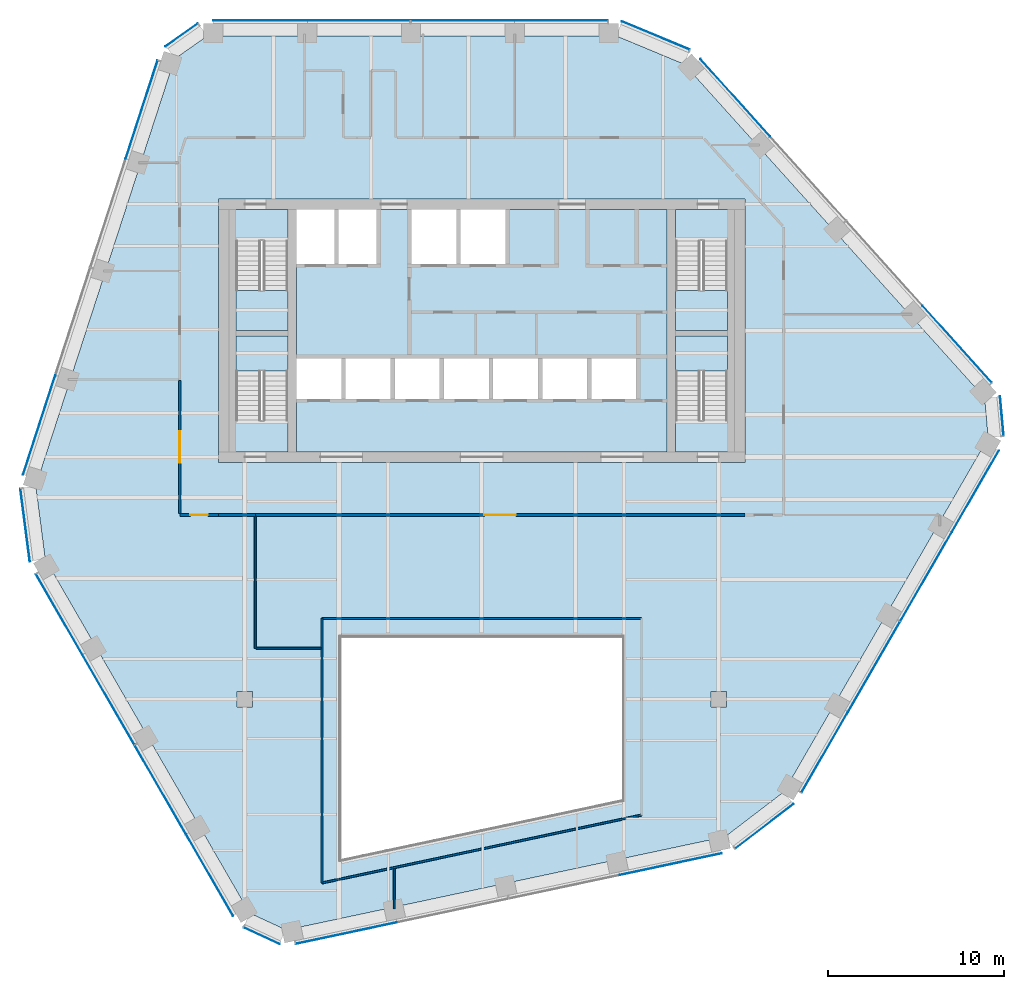
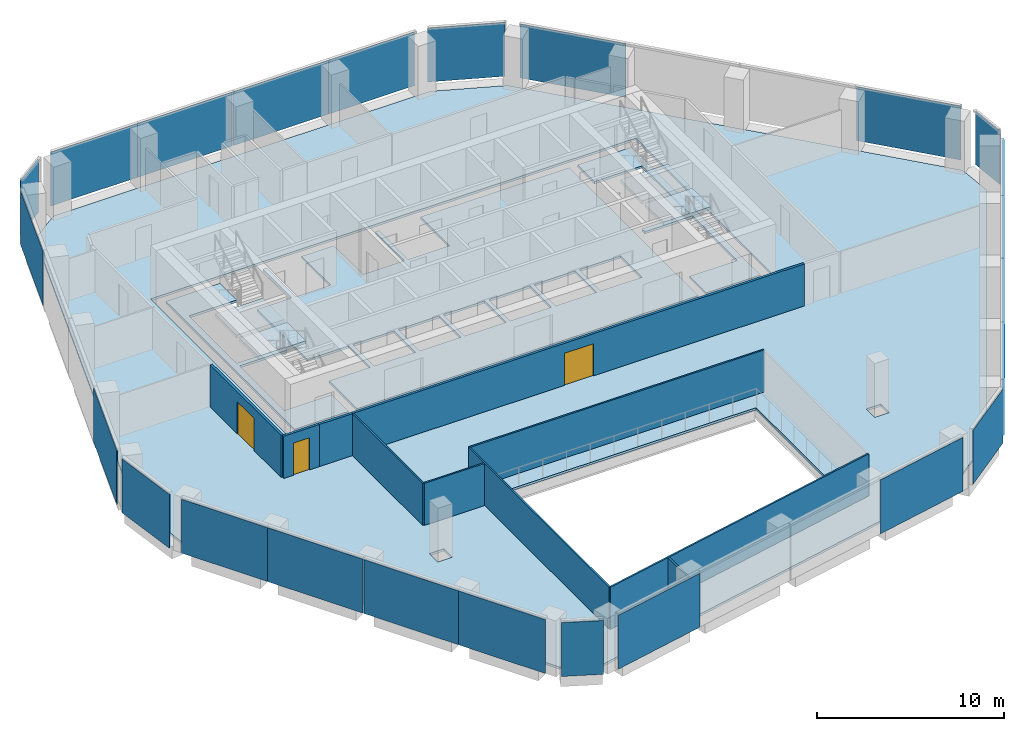
# One storey, part 8 of 15: 24 plates, 10 walls, 8 slabs, 3 doors, 3 openings, 16 elements without a shape of their own.
"""IFC4 building model written with IfcOpenShell, lengths in metres."""

from ifc_helpers import new_model, si_unit, direction, frame, frame_2d, origin, origin_2d, place, context, subcontext, project, spatial, polyline, rectangle, outline, extrude, material, layer, layer_set, type_object, element, fill, aggregate, save


model = new_model("IFC4")

# Units and contexts
model_context = context("Model", 3, precision=1e-05, world=origin(), true_north=direction((0.0, 1.0)))
body_context = subcontext(model_context, "Body", "Model", "MODEL_VIEW")
ifc_project = project(units=[si_unit("LENGTHUNIT", "METRE"), si_unit("AREAUNIT", "SQUARE_METRE"), si_unit("VOLUMEUNIT", "CUBIC_METRE"), si_unit("PLANEANGLEUNIT", "RADIAN"), si_unit("MASSUNIT", "GRAM", prefix="KILO")], contexts=[model_context])

# Site, building, storey
site_placement = place(None, origin())
site = spatial("IfcSite", under=ifc_project, at=site_placement, CompositionType="ELEMENT")
building_placement = place(site_placement, origin())
building = spatial("IfcBuilding", under=site, at=building_placement, Name="Isthmus Gate Tower", CompositionType="ELEMENT")
storey_placement = place(building_placement, frame((0.0, 0.0, 230.89990234375)))
storey = spatial("IfcBuildingStorey", under=building, at=storey_placement, Name="L58", CompositionType="ELEMENT", Elevation=230.89990234375)

# Slabs
ifc_material_1 = material(Name="Concrete f'c 40 MPa", Category="concrete")
ifc_layer_1 = layer(ifc_material_1, 0.14990234375)
ifc_layer_set_1 = layer_set([ifc_layer_1], Name="COMPOSITE FLOOR SLAB 150")
slab_type_1 = type_object("IfcSlabType", Name="COMPOSITE FLOOR SLAB 150", PredefinedType="FLOOR", material=ifc_layer_set_1)
slab_1_placement = place(storey_placement, frame((0.0, 0.0, -0.14990234375)))
element("IfcSlab", 1, at=slab_1_placement, inside=storey, type_object=slab_type_1, Name="str-slab-L58-1", PredefinedType="FLOOR", context=body_context, shape_type="SweptSolid", body=[
    extrude(outline(polyline([(11.539794921875, 22.68310546875), (28.65380859375, 3.67626953125), (28.859375, 1.3857421875), (17.21875, -18.7763671875), (13.874267578125, -21.335205078125), (-11.143310546875, -26.65283203125), (-13.2294921875, -25.685791015625), (-24.8701171875, -5.523681640625), (-25.4140625, -1.347900390625), (-17.510498046875, 22.976806640625), (-15.629638671875, 24.300048828125), (7.6513671875, 24.300048828125), (11.539794921875, 22.68310546875)]), holes=[polyline([(-8.0, -10.0), (-8.0, -22.611083984375), (8.0, -19.210205078125), (8.0, -10.0), (-8.0, -10.0)]), polyline([(-13.949951171875, -13.050048828125), (-13.949951171875, -13.949951171875), (-13.050048828125, -13.949951171875), (-13.050048828125, -13.050048828125), (-13.949951171875, -13.050048828125)]), polyline([(13.050048828125, -13.050048828125), (13.050048828125, -13.949951171875), (13.949951171875, -13.949951171875), (13.949951171875, -13.050048828125), (13.050048828125, -13.050048828125)]), polyline([(-15.0, 0.0), (15.0, 0.0), (15.0, 15.0), (-15.0, 15.0), (-15.0, 0.0)])]), origin(), (0.0, 0.0, 1.0), 0.14990234375),
])
ifc_material_2 = material(Name="Concrete f'c 40 MPa", Category="concrete")
ifc_layer_2 = layer(ifc_material_2, 0.14990234375)
ifc_layer_set_2 = layer_set([ifc_layer_2], Name="CORE FLOOR SLAB 150")
slab_type_2 = type_object("IfcSlabType", Name="CORE FLOOR SLAB 150", PredefinedType="FLOOR", material=ifc_layer_set_2)
slab_2_placement = place(storey_placement, frame((0.0, 0.0, -0.14990234375)))
element("IfcSlab", 2, at=slab_2_placement, inside=storey, type_object=slab_type_2, Name="L58 core floor", PredefinedType="FLOOR", context=body_context, shape_type="SweptSolid", body=[
    extrude(outline(polyline([(-11.050048828125, 0.60009765625), (-11.050048828125, 2.402099609375), (-14.0, 2.402099609375), (-14.0, 7.199951171875), (-11.050048828125, 7.199951171875), (-11.050048828125, 7.5), (-14.0, 7.5), (-14.0, 12.597900390625), (-11.050048828125, 12.597900390625), (-11.050048828125, 14.39990234375), (-14.39990234375, 14.39990234375), (-14.39990234375, 0.60009765625), (-11.050048828125, 0.60009765625)])), origin(), (0.0, 0.0, 1.0), 0.14990234375),
])
slab_3_placement = place(storey_placement, frame((0.0, 0.0, -0.14990234375)))
element("IfcSlab", 3, at=slab_3_placement, inside=storey, type_object=slab_type_2, Name="L58 core floor", PredefinedType="FLOOR", context=body_context, shape_type="SweptSolid", body=[
    extrude(outline(polyline([(10.550048828125, 14.39990234375), (1.35009765625, 14.39990234375), (1.35009765625, 11.300048828125), (-1.199951171875, 11.300048828125), (-1.199951171875, 14.39990234375), (-1.449951171875, 14.39990234375), (-1.449951171875, 11.300048828125), (-4.0, 11.300048828125), (-4.0, 14.39990234375), (-6.0, 14.39990234375), (-6.0, 11.300048828125), (-8.14990234375, 11.300048828125), (-8.14990234375, 14.39990234375), (-8.39990234375, 14.39990234375), (-8.39990234375, 11.300048828125), (-10.550048828125, 11.300048828125), (-10.550048828125, 5.89990234375), (-8.0, 5.89990234375), (-8.0, 3.60009765625), (-10.550048828125, 3.60009765625), (-10.550048828125, 0.60009765625), (10.550048828125, 0.60009765625), (10.550048828125, 14.39990234375)]), holes=[polyline([(-5.199951171875, 5.89990234375), (-5.199951171875, 3.60009765625), (-7.75, 3.60009765625), (-7.75, 5.89990234375), (-5.199951171875, 5.89990234375)]), polyline([(-2.39990234375, 5.89990234375), (-2.39990234375, 3.60009765625), (-4.949951171875, 3.60009765625), (-4.949951171875, 5.89990234375), (-2.39990234375, 5.89990234375)]), polyline([(0.39990234375, 5.89990234375), (0.39990234375, 3.60009765625), (-2.14990234375, 3.60009765625), (-2.14990234375, 5.89990234375), (0.39990234375, 5.89990234375)]), polyline([(3.199951171875, 5.89990234375), (3.199951171875, 3.60009765625), (0.64990234375, 3.60009765625), (0.64990234375, 5.89990234375), (3.199951171875, 5.89990234375)]), polyline([(6.0, 5.89990234375), (6.0, 3.60009765625), (3.449951171875, 3.60009765625), (3.449951171875, 5.89990234375), (6.0, 5.89990234375)]), polyline([(8.800048828125, 5.89990234375), (8.800048828125, 3.60009765625), (6.25, 3.60009765625), (6.25, 5.89990234375), (8.800048828125, 5.89990234375)])]), origin(), (0.0, 0.0, 1.0), 0.14990234375),
])
slab_4_placement = place(storey_placement, frame((0.0, 0.0, -0.14990234375)))
element("IfcSlab", 4, at=slab_4_placement, inside=storey, type_object=slab_type_2, Name="L58 core floor", PredefinedType="FLOOR", context=body_context, shape_type="SweptSolid", body=[
    extrude(outline(polyline([(11.050048828125, 14.39990234375), (11.050048828125, 12.597900390625), (14.0, 12.597900390625), (14.0, 7.5), (11.050048828125, 7.5), (11.050048828125, 7.199951171875), (14.0, 7.199951171875), (14.0, 2.402099609375), (11.050048828125, 2.402099609375), (11.050048828125, 0.60009765625), (14.39990234375, 0.60009765625), (14.39990234375, 14.39990234375), (11.050048828125, 14.39990234375)])), origin(), (0.0, 0.0, 1.0), 0.14990234375),
])

# Curtain wall, plates
ifc_material_3 = material(Name="Aluminium, pale champagne anodised", Category="aluminium")
ifc_layer_3 = layer(ifc_material_3, 0.199951171875)
ifc_layer_set_3 = layer_set([ifc_layer_3], Name="CW-1 UNITISED CURTAIN WALL 200 DEEP")
curtain_wall_type = type_object("IfcCurtainWallType", Name="CW-1 UNITISED CURTAIN WALL 200 DEEP", PredefinedType="NOTDEFINED", material=ifc_layer_set_3)
curtain_wall_1_placement = place(storey_placement, origin())
curtain_wall_1 = element("IfcCurtainWall", 5, at=curtain_wall_1_placement, inside=storey, type_object=curtain_wall_type, Name="CW-1 N L58", PredefinedType="NOTDEFINED")
ifc_material_4 = material(Name="Laminated low-iron glass, pale blue tint", Category="glass")
ifc_layer_4 = layer(ifc_material_4, 0.031982421875)
ifc_layer_set_4 = layer_set([ifc_layer_4], Name="CW-1 CLEAR GLASS LITE 32")
plate_type = type_object("IfcPlateType", Name="CW-1 CLEAR GLASS LITE 32", PredefinedType="CURTAIN_PANEL", material=ifc_layer_set_4)
plate_1_placement = place(storey_placement, frame((4.53076171875, 25.18408203125, 0.0), z_axis=(0.0, 0.0, 1.0), x_axis=(-1.0, 0.0, 0.0)))
plate_1 = element("IfcPlate", 6, at=plate_1_placement, type_object=plate_type, Name="CW-1 glass lite", PredefinedType="CURTAIN_PANEL", context=body_context, shape_type="SweptSolid", body=[
    extrude(rectangle(XDim=5.300537109375, YDim=0.031982421875, at=origin_2d()), origin(), (0.0, 0.0, 1.0), 3.52001953125),
])
plate_2_placement = place(storey_placement, frame((-1.07470703125, 25.18408203125, 0.0), z_axis=(0.0, 0.0, 1.0), x_axis=(-1.0, 0.0, 0.0)))
plate_2 = element("IfcPlate", 7, at=plate_2_placement, type_object=plate_type, Name="CW-1 glass lite", PredefinedType="CURTAIN_PANEL", context=body_context, shape_type="SweptSolid", body=[
    extrude(rectangle(XDim=5.91064453125, YDim=0.031982421875, at=origin_2d()), origin(), (0.0, 0.0, 1.0), 3.52001953125),
])
plate_3_placement = place(storey_placement, frame((-7.015380859375, 25.18408203125, 0.0), z_axis=(0.0, 0.0, 1.0), x_axis=(-1.0, 0.0, 0.0)))
plate_3 = element("IfcPlate", 8, at=plate_3_placement, type_object=plate_type, Name="CW-1 glass lite", PredefinedType="CURTAIN_PANEL", context=body_context, shape_type="SweptSolid", body=[
    extrude(rectangle(XDim=5.8505859375, YDim=0.031982421875, at=origin_2d()), origin(), (0.0, 0.0, 1.0), 3.52001953125),
])
plate_4_placement = place(storey_placement, frame((-12.62109375, 25.18408203125, 0.0), z_axis=(0.0, 0.0, 1.0), x_axis=(-1.0, 0.0, 0.0)))
plate_4 = element("IfcPlate", 9, at=plate_4_placement, type_object=plate_type, Name="CW-1 glass lite", PredefinedType="CURTAIN_PANEL", context=body_context, shape_type="SweptSolid", body=[
    extrude(rectangle(XDim=5.360595703125, YDim=0.031982421875, at=origin_2d()), origin(), (0.0, 0.0, 1.0), 3.52001953125),
])
aggregate(curtain_wall_1, [plate_1, plate_2, plate_3, plate_4])

# Curtain wall, plate
curtain_wall_2_placement = place(storey_placement, origin())
curtain_wall_2 = element("IfcCurtainWall", 10, at=curtain_wall_2_placement, inside=storey, type_object=curtain_wall_type, Name="CW-1 N-NW L58", PredefinedType="NOTDEFINED")
plate_5_placement = place(storey_placement, frame((-17.1025390625, 24.3447265625, 0.0), z_axis=(0.0, 0.0, 1.0), x_axis=(-0.81785959165, -0.57541783805, 0.0)))
plate_5 = element("IfcPlate", 11, at=plate_5_placement, type_object=plate_type, Name="CW-1 glass lite", PredefinedType="CURTAIN_PANEL", context=body_context, shape_type="SweptSolid", body=[
    extrude(rectangle(XDim=2.258544921875, YDim=0.031982421875, at=origin_2d()), origin(), (0.0, 0.0, 1.0), 3.52001953125),
])
aggregate(curtain_wall_2, [plate_5])

# Curtain wall, plates
curtain_wall_3_placement = place(storey_placement, origin())
curtain_wall_3 = element("IfcCurtainWall", 12, at=curtain_wall_3_placement, inside=storey, type_object=curtain_wall_type, Name="CW-1 NW L58", PredefinedType="NOTDEFINED")
plate_6_placement = place(storey_placement, frame((-19.37646484375, 20.0947265625, 0.0), z_axis=(0.0, 0.0, 1.0), x_axis=(-0.309016994375, -0.951056516295, 0.0)))
plate_6 = element("IfcPlate", 13, at=plate_6_placement, type_object=plate_type, Name="CW-1 glass lite", PredefinedType="CURTAIN_PANEL", context=body_context, shape_type="SweptSolid", body=[
    extrude(rectangle(XDim=5.8818359375, YDim=0.031982421875, at=origin_2d()), origin(), (0.0, 0.0, 1.0), 3.52001953125),
])
plate_7_placement = place(storey_placement, frame((-25.215576171875, 2.123779296875, 0.0), z_axis=(0.0, 0.0, 1.0), x_axis=(-0.309016994375, -0.951056516295, 0.0)))
plate_7 = element("IfcPlate", 14, at=plate_7_placement, type_object=plate_type, Name="CW-1 glass lite", PredefinedType="CURTAIN_PANEL", context=body_context, shape_type="SweptSolid", body=[
    extrude(rectangle(XDim=5.94189453125, YDim=0.031982421875, at=origin_2d()), origin(), (0.0, 0.0, 1.0), 3.52001953125),
])
aggregate(curtain_wall_3, [plate_6, plate_7])

# Curtain wall, plate
curtain_wall_4_placement = place(storey_placement, origin())
curtain_wall_4 = element("IfcCurtainWall", 15, at=curtain_wall_4_placement, inside=storey, type_object=curtain_wall_type, Name="CW-1 NW-SW L58", PredefinedType="NOTDEFINED")
plate_8_placement = place(storey_placement, frame((-26.014892578125, -3.57958984375, 0.0), z_axis=(0.0, 0.0, 1.0), x_axis=(0.129164534, -0.991623175988, 0.0)))
plate_8 = element("IfcPlate", 16, at=plate_8_placement, type_object=plate_type, Name="CW-1 glass lite", PredefinedType="CURTAIN_PANEL", context=body_context, shape_type="SweptSolid", body=[
    extrude(rectangle(XDim=4.181396484375, YDim=0.031982421875, at=origin_2d()), origin(), (0.0, 0.0, 1.0), 3.52001953125),
])
aggregate(curtain_wall_4, [plate_8])

# Curtain wall, plates
curtain_wall_5_placement = place(storey_placement, origin())
curtain_wall_5 = element("IfcCurtainWall", 17, at=curtain_wall_5_placement, inside=storey, type_object=curtain_wall_type, Name="CW-1 SW L58", PredefinedType="NOTDEFINED")
plate_9_placement = place(storey_placement, frame((-24.075439453125, -8.668212890625, 0.0), z_axis=(0.0, 0.0, 1.0), x_axis=(0.5, -0.866025403784, 0.0)))
plate_9 = element("IfcPlate", 18, at=plate_9_placement, type_object=plate_type, Name="CW-1 glass lite", PredefinedType="CURTAIN_PANEL", context=body_context, shape_type="SweptSolid", body=[
    extrude(rectangle(XDim=5.300537109375, YDim=0.031982421875, at=origin_2d()), origin(), (0.0, 0.0, 1.0), 3.52001953125),
])
plate_10_placement = place(storey_placement, frame((-21.272705078125, -13.522705078125, 0.0), z_axis=(0.0, 0.0, 1.0), x_axis=(0.5, -0.866025403784, 0.0)))
plate_10 = element("IfcPlate", 19, at=plate_10_placement, type_object=plate_type, Name="CW-1 glass lite", PredefinedType="CURTAIN_PANEL", context=body_context, shape_type="SweptSolid", body=[
    extrude(rectangle(XDim=5.91064453125, YDim=0.031982421875, at=origin_2d()), origin(), (0.0, 0.0, 1.0), 3.52001953125),
])
plate_11_placement = place(storey_placement, frame((-18.30224609375, -18.66748046875, 0.0), z_axis=(0.0, 0.0, 1.0), x_axis=(0.5, -0.866025403784, 0.0)))
plate_11 = element("IfcPlate", 20, at=plate_11_placement, type_object=plate_type, Name="CW-1 glass lite", PredefinedType="CURTAIN_PANEL", context=body_context, shape_type="SweptSolid", body=[
    extrude(rectangle(XDim=5.8505859375, YDim=0.031982421875, at=origin_2d()), origin(), (0.0, 0.0, 1.0), 3.52001953125),
])
plate_12_placement = place(storey_placement, frame((-15.49951171875, -23.52197265625, 0.0), z_axis=(0.0, 0.0, 1.0), x_axis=(0.5, -0.866025403784, 0.0)))
plate_12 = element("IfcPlate", 21, at=plate_12_placement, type_object=plate_type, Name="CW-1 glass lite", PredefinedType="CURTAIN_PANEL", context=body_context, shape_type="SweptSolid", body=[
    extrude(rectangle(XDim=5.360595703125, YDim=0.031982421875, at=origin_2d()), origin(), (0.0, 0.0, 1.0), 3.52001953125),
])
aggregate(curtain_wall_5, [plate_9, plate_10, plate_11, plate_12])

# Curtain wall, plate
curtain_wall_6_placement = place(storey_placement, origin())
curtain_wall_6 = element("IfcCurtainWall", 22, at=curtain_wall_6_placement, inside=storey, type_object=curtain_wall_type, Name="CW-1 SW-S L58", PredefinedType="NOTDEFINED")
plate_13_placement = place(storey_placement, frame((-12.531982421875, -26.9833984375, 0.0), z_axis=(0.0, 0.0, 1.0), x_axis=(0.907256261367, -0.420578264073, 0.0)))
plate_13 = element("IfcPlate", 23, at=plate_13_placement, type_object=plate_type, Name="CW-1 glass lite", PredefinedType="CURTAIN_PANEL", context=body_context, shape_type="SweptSolid", body=[
    extrude(rectangle(XDim=2.258544921875, YDim=0.031982421875, at=origin_2d()), origin(), (0.0, 0.0, 1.0), 3.52001953125),
])
aggregate(curtain_wall_6, [plate_13])

# Curtain wall, plates
curtain_wall_7_placement = place(storey_placement, origin())
curtain_wall_7 = element("IfcCurtainWall", 24, at=curtain_wall_7_placement, inside=storey, type_object=curtain_wall_type, Name="CW-1 S L58", PredefinedType="NOTDEFINED")
plate_14_placement = place(storey_placement, frame((-7.71435546875, -26.827880859375, 0.0), z_axis=(0.0, 0.0, 1.0), x_axis=(0.978147600734, 0.207911690818, 0.0)))
plate_14 = element("IfcPlate", 25, at=plate_14_placement, type_object=plate_type, Name="CW-1 glass lite", PredefinedType="CURTAIN_PANEL", context=body_context, shape_type="SweptSolid", body=[
    extrude(rectangle(XDim=5.8818359375, YDim=0.031982421875, at=origin_2d()), origin(), (0.0, 0.0, 1.0), 3.52001953125),
])
plate_15_placement = place(storey_placement, frame((10.7685546875, -22.899169921875, 0.0), z_axis=(0.0, 0.0, 1.0), x_axis=(0.978147600734, 0.207911690818, 0.0)))
plate_15 = element("IfcPlate", 26, at=plate_15_placement, type_object=plate_type, Name="CW-1 glass lite", PredefinedType="CURTAIN_PANEL", context=body_context, shape_type="SweptSolid", body=[
    extrude(rectangle(XDim=5.94189453125, YDim=0.031982421875, at=origin_2d()), origin(), (0.0, 0.0, 1.0), 3.52001953125),
])
aggregate(curtain_wall_7, [plate_14, plate_15])

# Curtain wall, plate
curtain_wall_8_placement = place(storey_placement, origin())
curtain_wall_8 = element("IfcCurtainWall", 27, at=curtain_wall_8_placement, inside=storey, type_object=curtain_wall_type, Name="CW-1 S-SE L58", PredefinedType="NOTDEFINED")
plate_16_placement = place(storey_placement, frame((16.107421875, -20.73974609375, 0.0), z_axis=(0.0, 0.0, 1.0), x_axis=(0.794188594387, 0.607671355706, 0.0)))
plate_16 = element("IfcPlate", 28, at=plate_16_placement, type_object=plate_type, Name="CW-1 glass lite", PredefinedType="CURTAIN_PANEL", context=body_context, shape_type="SweptSolid", body=[
    extrude(rectangle(XDim=4.181396484375, YDim=0.031982421875, at=origin_2d()), origin(), (0.0, 0.0, 1.0), 3.52001953125),
])
aggregate(curtain_wall_8, [plate_16])

# Curtain wall, plates
curtain_wall_9_placement = place(storey_placement, origin())
curtain_wall_9 = element("IfcCurtainWall", 29, at=curtain_wall_9_placement, inside=storey, type_object=curtain_wall_type, Name="CW-1 SE L58", PredefinedType="NOTDEFINED")
plate_17_placement = place(storey_placement, frame((19.544677734375, -16.515869140625, 0.0), z_axis=(0.0, 0.0, 1.0), x_axis=(0.5, 0.866025403784, 0.0)))
plate_17 = element("IfcPlate", 30, at=plate_17_placement, type_object=plate_type, Name="CW-1 glass lite", PredefinedType="CURTAIN_PANEL", context=body_context, shape_type="SweptSolid", body=[
    extrude(rectangle(XDim=5.300537109375, YDim=0.031982421875, at=origin_2d()), origin(), (0.0, 0.0, 1.0), 3.52001953125),
])
plate_18_placement = place(storey_placement, frame((22.347412109375, -11.6611328125, 0.0), z_axis=(0.0, 0.0, 1.0), x_axis=(0.5, 0.866025403784, 0.0)))
plate_18 = element("IfcPlate", 31, at=plate_18_placement, type_object=plate_type, Name="CW-1 glass lite", PredefinedType="CURTAIN_PANEL", context=body_context, shape_type="SweptSolid", body=[
    extrude(rectangle(XDim=5.91064453125, YDim=0.031982421875, at=origin_2d()), origin(), (0.0, 0.0, 1.0), 3.52001953125),
])
plate_19_placement = place(storey_placement, frame((25.317626953125, -6.5166015625, 0.0), z_axis=(0.0, 0.0, 1.0), x_axis=(0.5, 0.866025403784, 0.0)))
plate_19 = element("IfcPlate", 32, at=plate_19_placement, type_object=plate_type, Name="CW-1 glass lite", PredefinedType="CURTAIN_PANEL", context=body_context, shape_type="SweptSolid", body=[
    extrude(rectangle(XDim=5.8505859375, YDim=0.031982421875, at=origin_2d()), origin(), (0.0, 0.0, 1.0), 3.52001953125),
])
plate_20_placement = place(storey_placement, frame((28.120361328125, -1.661865234375, 0.0), z_axis=(0.0, 0.0, 1.0), x_axis=(0.5, 0.866025403784, 0.0)))
plate_20 = element("IfcPlate", 33, at=plate_20_placement, type_object=plate_type, Name="CW-1 glass lite", PredefinedType="CURTAIN_PANEL", context=body_context, shape_type="SweptSolid", body=[
    extrude(rectangle(XDim=5.360595703125, YDim=0.031982421875, at=origin_2d()), origin(), (0.0, 0.0, 1.0), 3.52001953125),
])
aggregate(curtain_wall_9, [plate_17, plate_18, plate_19, plate_20])

# Curtain wall, plate
curtain_wall_10_placement = place(storey_placement, origin())
curtain_wall_10 = element("IfcCurtainWall", 34, at=curtain_wall_10_placement, inside=storey, type_object=curtain_wall_type, Name="CW-1 SE-NE L58", PredefinedType="NOTDEFINED")
plate_21_placement = place(storey_placement, frame((29.63427734375, 2.638671875, 0.0), z_axis=(0.0, 0.0, 1.0), x_axis=(-0.089396669717, 0.995996102123, 0.0)))
plate_21 = element("IfcPlate", 35, at=plate_21_placement, type_object=plate_type, Name="CW-1 glass lite", PredefinedType="CURTAIN_PANEL", context=body_context, shape_type="SweptSolid", body=[
    extrude(rectangle(XDim=2.258544921875, YDim=0.031982421875, at=origin_2d()), origin(), (0.0, 0.0, 1.0), 3.52001953125),
])
aggregate(curtain_wall_10, [plate_21])

# Curtain wall, plates
curtain_wall_11_placement = place(storey_placement, origin())
curtain_wall_11 = element("IfcCurtainWall", 36, at=curtain_wall_11_placement, inside=storey, type_object=curtain_wall_type, Name="CW-1 NE L58", PredefinedType="NOTDEFINED")
plate_22_placement = place(storey_placement, frame((27.0908203125, 6.733154296875, 0.0), z_axis=(0.0, 0.0, 1.0), x_axis=(-0.669130606359, 0.743144825477, 0.0)))
plate_22 = element("IfcPlate", 37, at=plate_22_placement, type_object=plate_type, Name="CW-1 glass lite", PredefinedType="CURTAIN_PANEL", context=body_context, shape_type="SweptSolid", body=[
    extrude(rectangle(XDim=5.8818359375, YDim=0.031982421875, at=origin_2d()), origin(), (0.0, 0.0, 1.0), 3.52001953125),
])
plate_23_placement = place(storey_placement, frame((14.447021484375, 20.775390625, 0.0), z_axis=(0.0, 0.0, 1.0), x_axis=(-0.669130606359, 0.743144825477, 0.0)))
plate_23 = element("IfcPlate", 38, at=plate_23_placement, type_object=plate_type, Name="CW-1 glass lite", PredefinedType="CURTAIN_PANEL", context=body_context, shape_type="SweptSolid", body=[
    extrude(rectangle(XDim=5.94189453125, YDim=0.031982421875, at=origin_2d()), origin(), (0.0, 0.0, 1.0), 3.52001953125),
])
aggregate(curtain_wall_11, [plate_22, plate_23])

# Curtain wall, plate
curtain_wall_12_placement = place(storey_placement, origin())
curtain_wall_12 = element("IfcCurtainWall", 39, at=curtain_wall_12_placement, inside=storey, type_object=curtain_wall_type, Name="CW-1 NE-N L58", PredefinedType="NOTDEFINED")
plate_24_placement = place(storey_placement, frame((9.907470703125, 24.3193359375, 0.0), z_axis=(0.0, 0.0, 1.0), x_axis=(-0.923353128387, 0.383951820282, 0.0)))
plate_24 = element("IfcPlate", 40, at=plate_24_placement, type_object=plate_type, Name="CW-1 glass lite", PredefinedType="CURTAIN_PANEL", context=body_context, shape_type="SweptSolid", body=[
    extrude(rectangle(XDim=4.181396484375, YDim=0.031982421875, at=origin_2d()), origin(), (0.0, 0.0, 1.0), 3.52001953125),
])
aggregate(curtain_wall_12, [plate_24])

# Stair, slab
ifc_material_5 = material(Name="Concrete f'c 40 MPa", Category="concrete")
stair_type = type_object("IfcStairType", Name="CORE STAIR 22 RISERS", PredefinedType="HALF_TURN_STAIR", material=ifc_material_5)
stair_1_placement = place(storey_placement, origin())
stair_1 = element("IfcStair", 41, at=stair_1_placement, inside=storey, type_object=stair_type, Name="L58 Exit Stair 1", PredefinedType="HALF_TURN_STAIR")
ifc_material_6 = material(Name="Concrete f'c 40 MPa", Category="concrete")
ifc_layer_5 = layer(ifc_material_6, 0.199951171875)
ifc_layer_set_5 = layer_set([ifc_layer_5])
slab_type_3 = type_object("IfcSlabType", Name="STAIR LANDING RC 200", PredefinedType="LANDING", material=ifc_layer_set_5)
slab_5_placement = place(storey_placement, frame((0.0, 0.0, 1.625)))
slab_5 = element("IfcSlab", 42, at=slab_5_placement, type_object=slab_type_3, Name="ST1 landing 1", PredefinedType="LANDING", context=body_context, shape_type="SweptSolid", body=[
    extrude(outline(polyline([(-14.0, 9.800048828125), (-14.0, 7.5), (-11.050048828125, 7.5), (-11.050048828125, 9.800048828125), (-14.0, 9.800048828125)])), origin(), (0.0, 0.0, 1.0), 0.2001953125),
])
aggregate(stair_1, [slab_5])

stair_2_placement = place(storey_placement, origin())
stair_2 = element("IfcStair", 43, at=stair_2_placement, inside=storey, type_object=stair_type, Name="L58 Exit Stair 2", PredefinedType="HALF_TURN_STAIR")
slab_6_placement = place(storey_placement, frame((0.0, 0.0, 1.625)))
slab_6 = element("IfcSlab", 44, at=slab_6_placement, type_object=slab_type_3, Name="ST2 landing 1", PredefinedType="LANDING", context=body_context, shape_type="SweptSolid", body=[
    extrude(outline(polyline([(11.050048828125, 9.800048828125), (11.050048828125, 7.5), (14.0, 7.5), (14.0, 9.800048828125), (11.050048828125, 9.800048828125)])), origin(), (0.0, 0.0, 1.0), 0.2001953125),
])
aggregate(stair_2, [slab_6])

stair_3_placement = place(storey_placement, origin())
stair_3 = element("IfcStair", 45, at=stair_3_placement, inside=storey, type_object=stair_type, Name="L58 Exit Stair 7", PredefinedType="HALF_TURN_STAIR")
slab_7_placement = place(storey_placement, frame((0.0, 0.0, 1.625)))
slab_7 = element("IfcSlab", 46, at=slab_7_placement, type_object=slab_type_3, Name="ST7 landing 1", PredefinedType="LANDING", context=body_context, shape_type="SweptSolid", body=[
    extrude(outline(polyline([(-11.050048828125, 5.199951171875), (-11.050048828125, 7.199951171875), (-14.0, 7.199951171875), (-14.0, 5.199951171875), (-11.050048828125, 5.199951171875)])), origin(), (0.0, 0.0, 1.0), 0.2001953125),
])
aggregate(stair_3, [slab_7])

stair_4_placement = place(storey_placement, origin())
stair_4 = element("IfcStair", 47, at=stair_4_placement, inside=storey, type_object=stair_type, Name="L58 Exit Stair 8", PredefinedType="HALF_TURN_STAIR")
slab_8_placement = place(storey_placement, frame((0.0, 0.0, 1.625)))
slab_8 = element("IfcSlab", 48, at=slab_8_placement, type_object=slab_type_3, Name="ST8 landing 1", PredefinedType="LANDING", context=body_context, shape_type="SweptSolid", body=[
    extrude(outline(polyline([(14.0, 5.199951171875), (14.0, 7.199951171875), (11.050048828125, 7.199951171875), (11.050048828125, 5.199951171875), (14.0, 5.199951171875)])), origin(), (0.0, 0.0, 1.0), 0.2001953125),
])
aggregate(stair_4, [slab_8])

# Walls
ifc_material_7 = material(Name="Fire-rated laminated glass in steel frame", Category="steel")
ifc_layer_6 = layer(ifc_material_7, 0.10009765625)
ifc_layer_set_6 = layer_set([ifc_layer_6], Name="ATRIUM SCREEN GLAZED WALL 100 120 MIN")
wall_type_1 = type_object("IfcWallType", Name="ATRIUM SCREEN GLAZED WALL 100 120 MIN", PredefinedType="PARTITIONING", material=ifc_layer_set_6)
wall_1_placement = place(storey_placement, frame((-9.10009765625, -8.89990234375, 0.0), z_axis=(0.0, 0.0, 1.0), x_axis=(1.0, 0.0, 0.0)))
element("IfcWall", 49, at=wall_1_placement, inside=storey, type_object=wall_type_1, Name="L58 atrium screen", PredefinedType="PARTITIONING", context=body_context, shape_type="SweptSolid", body=[
    extrude(rectangle(XDim=18.2001953125, YDim=0.10009765625, at=frame_2d((9.10009765625, 0.0))), origin(), (0.0, 0.0, 1.0), 2.750732421875),
])
wall_2_placement = place(storey_placement, frame((9.10009765625, -20.100830078125, 0.0), z_axis=(0.0, 0.0, 1.0), x_axis=(-0.978146710971, -0.207915876778, 0.0)))
element("IfcWall", 50, at=wall_2_placement, inside=storey, type_object=wall_type_1, Name="L58 atrium screen", PredefinedType="PARTITIONING", context=body_context, shape_type="SweptSolid", body=[
    extrude(rectangle(XDim=18.60693359375, YDim=0.10009765625, at=frame_2d((9.303466796875, 0.0))), origin(), (0.0, 0.0, 1.0), 2.750732421875),
])
wall_3_placement = place(storey_placement, frame((-9.10009765625, -23.969482421875, 0.0), z_axis=(0.0, 0.0, 1.0), x_axis=(0.0, 1.0, 0.0)))
element("IfcWall", 51, at=wall_3_placement, inside=storey, type_object=wall_type_1, Name="L58 atrium screen", PredefinedType="PARTITIONING", context=body_context, shape_type="SweptSolid", body=[
    extrude(rectangle(XDim=15.069580078125, YDim=0.10009765625, at=frame_2d((7.53466796875, 0.0))), origin(), (0.0, 0.0, 1.0), 2.750732421875),
])
ifc_material_8 = material(Name="Gypsum board on steel studs, fire-rated", Category="steel")
ifc_layer_7 = layer(ifc_material_8, 0.14990234375)
ifc_layer_set_7 = layer_set([ifc_layer_7], Name="CORRIDOR WALL 150 60 MIN")
wall_type_2 = type_object("IfcWallType", Name="CORRIDOR WALL 150 60 MIN", PredefinedType="PARTITIONING", material=ifc_layer_set_7)
wall_4_placement = place(storey_placement, frame((-12.904052734375, -3.0, 0.0), z_axis=(0.0, 0.0, 1.0), x_axis=(-1.0, 0.0, 0.0)))
element("IfcWall", 52, at=wall_4_placement, inside=storey, type_object=wall_type_2, Name="L58 Corridor Wall 150 60 Min", PredefinedType="PARTITIONING", context=body_context, shape_type="SweptSolid", body=[
    extrude(rectangle(XDim=2.095947265625, YDim=0.14990234375, at=frame_2d((1.0478515625, 0.0))), origin(), (0.0, 0.0, 1.0), 2.750732421875),
])

# Wall, opening, door
wall_5_placement = place(storey_placement, frame((15.0, -3.0, 0.0), z_axis=(0.0, 0.0, 1.0), x_axis=(-1.0, 0.0, 0.0)))
wall_5 = element("IfcWall", 53, at=wall_5_placement, inside=storey, type_object=wall_type_2, Name="L58 Corridor Wall 150 60 Min", PredefinedType="PARTITIONING", context=body_context, shape_type="SweptSolid", body=[
    extrude(rectangle(XDim=27.904052734375, YDim=0.14990234375, at=frame_2d((13.9521484375, 0.0))), origin(), (0.0, 0.0, 1.0), 2.750732421875),
])
opening_1_placement = place(wall_5_placement, frame((13.052001953125, 0.0, 0.0)))
opening_1 = element("IfcOpeningElement", 54, at=opening_1_placement, cuts=wall_5, Name="Opening DT-T5B-11", PredefinedType="OPENING", context=body_context, shape_type="SweptSolid", body=[
    extrude(rectangle(XDim=1.800048828125, YDim=2.10009765625, at=frame_2d((0.89990234375, 1.050048828125))), frame((0.0, 0.0849609375, 0.0), z_axis=(0.0, -1.0, 0.0), x_axis=(1.0, 0.0, 0.0)), (0.0, 0.0, 1.0), 0.169921875),
])
ifc_material_9 = material(Name="Solid core timber door leaf, fire-rated", Category="wood")
door_type_1 = type_object("IfcDoorType", Name="FIRE DOOR ROOM 1800 X 2100 60 MIN", OperationType="DOUBLE_DOOR_DOUBLE_SWING", PredefinedType="DOOR", material=ifc_material_9)
door_1_placement = place(opening_1_placement, origin())
door_1 = element("IfcDoor", 55, at=door_1_placement, inside=storey, type_object=door_type_1, Name="L58 room door", OperationType="DOUBLE_DOOR_DOUBLE_SWING", OverallHeight=2.10009765625, OverallWidth=1.800048828125, PredefinedType="DOOR", context=body_context, shape_type="SweptSolid", body=[
    extrude(rectangle(XDim=1.800048828125, YDim=2.10009765625, at=frame_2d((0.89990234375, 1.050048828125))), frame((0.0, 0.02490234375, 0.0), z_axis=(0.0, -1.0, 0.0), x_axis=(1.0, 0.0, 0.0)), (0.0, 0.0, 1.0), 0.050048828125),
])
fill(opening_1, door_1)

wall_6_placement = place(storey_placement, frame((-15.0, -3.0, 0.0), z_axis=(0.0, 0.0, 1.0), x_axis=(-1.0, 0.0, 0.0)))
wall_6 = element("IfcWall", 56, at=wall_6_placement, inside=storey, type_object=wall_type_2, Name="L58 Corridor Wall 150 60 Min", PredefinedType="PARTITIONING", context=body_context, shape_type="SweptSolid", body=[
    extrude(rectangle(XDim=2.199951171875, YDim=0.14990234375, at=frame_2d((1.10009765625, 0.0))), origin(), (0.0, 0.0, 1.0), 2.750732421875),
])
opening_2_placement = place(wall_6_placement, frame((0.60009765625, 0.0, 0.0)))
opening_2 = element("IfcOpeningElement", 57, at=opening_2_placement, cuts=wall_6, Name="Opening DT-T5B-10", PredefinedType="OPENING", context=body_context, shape_type="SweptSolid", body=[
    extrude(rectangle(XDim=1.0, YDim=2.10009765625, at=frame_2d((0.5, 1.050048828125))), frame((0.0, 0.0849609375, 0.0), z_axis=(0.0, -1.0, 0.0), x_axis=(1.0, 0.0, 0.0)), (0.0, 0.0, 1.0), 0.169921875),
])
ifc_material_10 = material(Name="Solid core timber door leaf, fire-rated", Category="wood")
door_type_2 = type_object("IfcDoorType", Name="FIRE DOOR ROOM 1000 X 2100 60 MIN", OperationType="SINGLE_SWING_LEFT", PredefinedType="DOOR", material=ifc_material_10)
door_2_placement = place(opening_2_placement, origin())
door_2 = element("IfcDoor", 58, at=door_2_placement, inside=storey, type_object=door_type_2, Name="L58 room door", OperationType="SINGLE_SWING_RIGHT", OverallHeight=2.10009765625, OverallWidth=1.0, PredefinedType="DOOR", context=body_context, shape_type="SweptSolid", body=[
    extrude(rectangle(XDim=1.0, YDim=2.10009765625, at=frame_2d((0.5, 1.050048828125))), frame((0.0, 0.02490234375, 0.0), z_axis=(0.0, -1.0, 0.0), x_axis=(1.0, 0.0, 0.0)), (0.0, 0.0, 1.0), 0.050048828125),
])
fill(opening_2, door_2)

wall_7_placement = place(storey_placement, frame((-17.199951171875, -2.925048828125, 0.0), z_axis=(0.0, 0.0, 1.0), x_axis=(0.0, 1.0, 0.0)))
wall_7 = element("IfcWall", 59, at=wall_7_placement, inside=storey, type_object=wall_type_2, Name="L58 Corridor Wall 150 60 Min", PredefinedType="PARTITIONING", context=body_context, shape_type="SweptSolid", body=[
    extrude(rectangle(XDim=7.59814453125, YDim=0.14990234375, at=frame_2d((3.799072265625, 0.0))), origin(), (0.0, 0.0, 1.0), 2.750732421875),
])
opening_3_placement = place(wall_7_placement, frame((2.89892578125, 0.0, 0.0)))
opening_3 = element("IfcOpeningElement", 60, at=opening_3_placement, cuts=wall_7, Name="Opening DT-T5B-09", PredefinedType="OPENING", context=body_context, shape_type="SweptSolid", body=[
    extrude(rectangle(XDim=1.800048828125, YDim=2.10009765625, at=frame_2d((0.89990234375, 1.050048828125))), frame((0.0, 0.0849609375, 0.0), z_axis=(0.0, -1.0, 0.0), x_axis=(1.0, 0.0, 0.0)), (0.0, 0.0, 1.0), 0.169921875),
])
door_3_placement = place(opening_3_placement, origin())
door_3 = element("IfcDoor", 61, at=door_3_placement, inside=storey, type_object=door_type_1, Name="L58 room door", OperationType="DOUBLE_DOOR_DOUBLE_SWING", OverallHeight=2.10009765625, OverallWidth=1.800048828125, PredefinedType="DOOR", context=body_context, shape_type="SweptSolid", body=[
    extrude(rectangle(XDim=1.800048828125, YDim=2.10009765625, at=frame_2d((0.89990234375, 1.050048828125))), frame((0.0, 0.02490234375, 0.0), z_axis=(0.0, -1.0, 0.0), x_axis=(1.0, 0.0, 0.0)), (0.0, 0.0, 1.0), 0.050048828125),
])
fill(opening_3, door_3)

# Walls
ifc_material_11 = material(Name="Gypsum board on steel studs, fire-rated", Category="steel")
ifc_layer_8 = layer(ifc_material_11, 0.10009765625)
ifc_layer_set_8 = layer_set([ifc_layer_8], Name="ROOM PARTITION 100 30 MIN")
wall_type_3 = type_object("IfcWallType", Name="ROOM PARTITION 100 30 MIN", PredefinedType="PARTITIONING", material=ifc_layer_set_8)
wall_8_placement = place(storey_placement, frame((-12.904052734375, -10.595947265625, 0.0), z_axis=(0.0, 0.0, 1.0), x_axis=(0.0, 1.0, 0.0)))
element("IfcWall", 62, at=wall_8_placement, inside=storey, type_object=wall_type_3, Name="L58 Room Partition 100 30 Min", PredefinedType="PARTITIONING", context=body_context, shape_type="SweptSolid", body=[
    extrude(rectangle(XDim=7.52099609375, YDim=0.10009765625, at=frame_2d((3.760498046875, 0.0))), origin(), (0.0, 0.0, 1.0), 2.750732421875),
])
wall_9_placement = place(storey_placement, frame((-4.989990234375, -25.447021484375, 0.0), z_axis=(0.0, 0.0, 1.0), x_axis=(0.0, 1.0, 0.0)))
element("IfcWall", 63, at=wall_9_placement, inside=storey, type_object=wall_type_3, Name="L58 Room Partition 100 30 Min", PredefinedType="PARTITIONING", context=body_context, shape_type="SweptSolid", body=[
    extrude(rectangle(XDim=2.300048828125, YDim=0.10009765625, at=frame_2d((1.14990234375, 0.0))), origin(), (0.0, 0.0, 1.0), 2.750732421875),
])
wall_10_placement = place(storey_placement, frame((-12.85400390625, -10.595947265625, 0.0), z_axis=(0.0, 0.0, 1.0), x_axis=(1.0, 0.0, 0.0)))
element("IfcWall", 64, at=wall_10_placement, inside=storey, type_object=wall_type_3, Name="L58 Room Partition 100 30 Min", PredefinedType="PARTITIONING", context=body_context, shape_type="SweptSolid", body=[
    extrude(rectangle(XDim=3.7041015625, YDim=0.10009765625, at=frame_2d((1.85205078125, 0.0))), origin(), (0.0, 0.0, 1.0), 2.750732421875),
])

save(model, "model.ifc")
